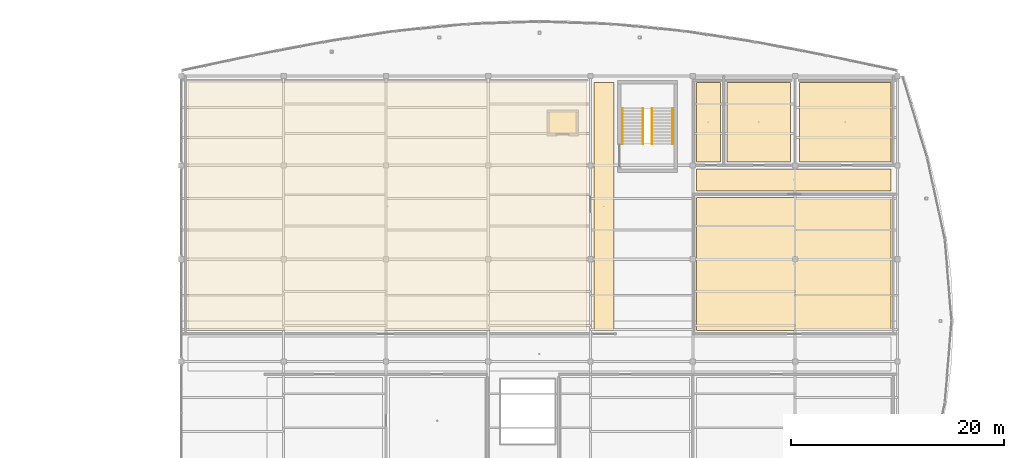
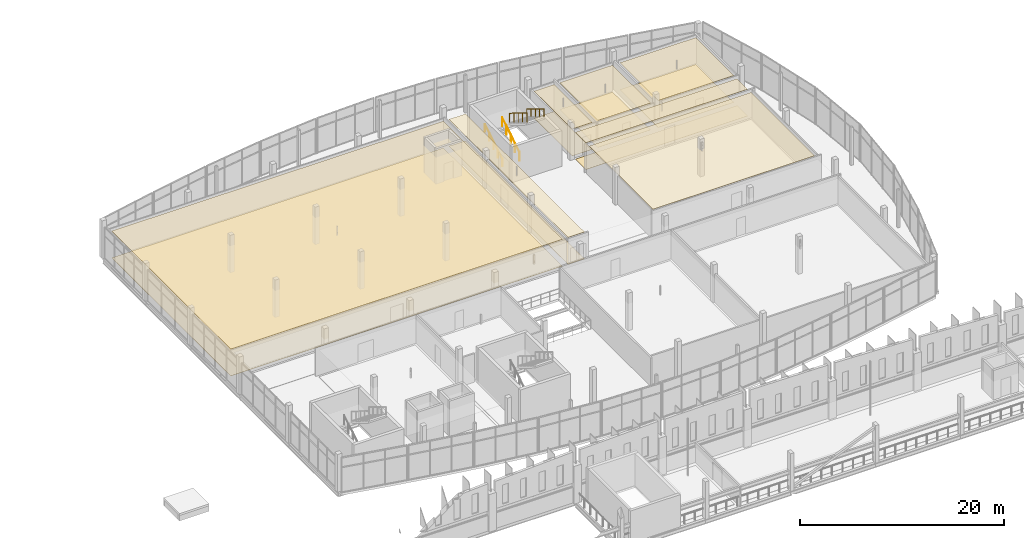
# One storey, part 114 of 114: 13 coverings, 4 railings, 1 element without a shape of its own.
"""IFC4 building model written with IfcOpenShell, lengths in metres."""

from ifc_helpers import new_model, si_unit, direction, frame, origin, origin_2d, place, context, subcontext, project, spatial, polyline, circle, outline, extrude, material, layer, layer_set, type_object, element, aggregate, save


model = new_model("IFC4")

# Units and contexts
model_context = context("Model", 3, precision=1e-05, world=origin(), true_north=direction((0.0, 1.0)))
body_context = subcontext(model_context, "Body", "Model", "MODEL_VIEW")
ifc_project = project(units=[si_unit("LENGTHUNIT", "METRE"), si_unit("AREAUNIT", "SQUARE_METRE"), si_unit("VOLUMEUNIT", "CUBIC_METRE"), si_unit("PLANEANGLEUNIT", "RADIAN"), si_unit("MASSUNIT", "GRAM", prefix="KILO")], contexts=[model_context])

# Site, building, storey
site_placement = place(None, origin())
site = spatial("IfcSite", under=ifc_project, at=site_placement, CompositionType="ELEMENT")
building_placement = place(site_placement, origin())
building = spatial("IfcBuilding", under=site, at=building_placement, Name="Chalmorin Arch Market", CompositionType="ELEMENT")
storey_placement = place(building_placement, frame((0.0, 0.0, 9.60009765625)))
storey = spatial("IfcBuildingStorey", under=building, at=storey_placement, Name="L02", CompositionType="ELEMENT", Elevation=9.60009765625)

# Coverings
ifc_material_1 = material(Name="Mineral Fibre Acoustic Tile")
ifc_layer_1 = layer(ifc_material_1, 0.044921875)
ifc_layer_set_1 = layer_set([ifc_layer_1], Name="Mineral Fibre Acoustic Tile")
covering_type_1 = type_object("IfcCoveringType", Name="AcousticBaffleCeiling-45", PredefinedType="CEILING", material=ifc_layer_set_1)
covering_1_placement = place(storey_placement, frame((0.0, 0.0, 3.184814453125)))
element("IfcCovering", 1, at=covering_1_placement, inside=storey, type_object=covering_type_1, Name="CLG-01-237", PredefinedType="CEILING", context=body_context, shape_type="SweptSolid", body=[
    extrude(outline(polyline([(86.719970703125, 94.1201171875), (88.580078125, 94.1201171875), (88.580078125, 117.3798828125), (86.719970703125, 117.3798828125), (86.719970703125, 94.1201171875)])), origin(), (0.0, 0.0, 1.0), 0.045166015625),
])
covering_2_placement = place(storey_placement, frame((0.0, 0.0, 3.184814453125)))
element("IfcCovering", 2, at=covering_2_placement, inside=storey, type_object=covering_type_1, Name="CLG-01-239", PredefinedType="CEILING", context=body_context, shape_type="SweptSolid", body=[
    extrude(outline(polyline([(48.6201171875, 94.1201171875), (86.080078125, 94.1201171875), (86.080078125, 117.3798828125), (48.6201171875, 117.3798828125), (48.6201171875, 94.1201171875)])), origin(), (0.0, 0.0, 1.0), 0.045166015625),
])
covering_3_placement = place(storey_placement, frame((0.0, 0.0, 3.184814453125)))
element("IfcCovering", 3, at=covering_3_placement, inside=storey, type_object=covering_type_1, Name="CLG-01-241", PredefinedType="CEILING", context=body_context, shape_type="SweptSolid", body=[
    extrude(outline(polyline([(96.320068359375, 94.1201171875), (114.580078125, 94.1201171875), (114.580078125, 106.580078125), (96.320068359375, 106.580078125), (96.320068359375, 94.1201171875)])), origin(), (0.0, 0.0, 1.0), 0.045166015625),
])
covering_4_placement = place(storey_placement, frame((0.0, 0.0, 3.184814453125)))
element("IfcCovering", 4, at=covering_4_placement, inside=storey, type_object=covering_type_1, Name="CLG-01-243", PredefinedType="CEILING", context=body_context, shape_type="SweptSolid", body=[
    extrude(outline(polyline([(96.320068359375, 107.219970703125), (114.580078125, 107.219970703125), (114.580078125, 109.280029296875), (96.320068359375, 109.280029296875), (96.320068359375, 107.219970703125)])), origin(), (0.0, 0.0, 1.0), 0.045166015625),
])
ifc_material_2 = material(Name="Gypsum Board Partition")
ifc_layer_2 = layer(ifc_material_2, 0.030029296875)
ifc_layer_set_2 = layer_set([ifc_layer_2], Name="Gypsum Board Partition")
covering_type_2 = type_object("IfcCoveringType", Name="MoistureResistantGypsumCeiling-30", PredefinedType="CEILING", material=ifc_layer_set_2)
covering_5_placement = place(storey_placement, frame((0.0, 0.0, 3.199951171875)))
element("IfcCovering", 5, at=covering_5_placement, inside=storey, type_object=covering_type_2, Name="CLG-03-245", PredefinedType="CEILING", context=body_context, shape_type="SweptSolid", body=[
    extrude(outline(polyline([(96.320068359375, 109.919921875), (98.580078125, 109.919921875), (98.580078125, 117.3798828125), (96.320068359375, 117.3798828125), (96.320068359375, 109.919921875)])), origin(), (0.0, 0.0, 1.0), 0.030029296875),
])
covering_6_placement = place(storey_placement, frame((0.0, 0.0, 3.199951171875)))
element("IfcCovering", 6, at=covering_6_placement, inside=storey, type_object=covering_type_2, Name="CLG-03-247", PredefinedType="CEILING", context=body_context, shape_type="SweptSolid", body=[
    extrude(outline(polyline([(99.219970703125, 109.919921875), (105.179931640625, 109.919921875), (105.179931640625, 117.3798828125), (99.219970703125, 117.3798828125), (99.219970703125, 109.919921875)])), origin(), (0.0, 0.0, 1.0), 0.030029296875),
])
covering_7_placement = place(storey_placement, frame((0.0, 0.0, 3.199951171875)))
element("IfcCovering", 7, at=covering_7_placement, inside=storey, type_object=covering_type_2, Name="CLG-03-249", PredefinedType="CEILING", context=body_context, shape_type="SweptSolid", body=[
    extrude(outline(polyline([(106.02001953125, 109.919921875), (114.580078125, 109.919921875), (114.580078125, 117.3798828125), (106.02001953125, 117.3798828125), (106.02001953125, 109.919921875)])), origin(), (0.0, 0.0, 1.0), 0.030029296875),
])
ifc_material_3 = material(Name="Ceramic Porcelain Tile")
ifc_layer_3 = layer(ifc_material_3, 0.01806640625)
ifc_layer_set_3 = layer_set([ifc_layer_3], Name="Ceramic Porcelain Tile")
covering_type_3 = type_object("IfcCoveringType", Name="PorcelainRestroomTileFloor-18", PredefinedType="FLOORING", material=ifc_layer_set_3)
covering_8_placement = place(storey_placement, origin())
element("IfcCovering", 8, at=covering_8_placement, inside=storey, type_object=covering_type_3, Name="FLR-03-244", PredefinedType="FLOORING", context=body_context, shape_type="SweptSolid", body=[
    extrude(outline(polyline([(96.320068359375, 109.919921875), (98.580078125, 109.919921875), (98.580078125, 117.3798828125), (96.320068359375, 117.3798828125), (96.320068359375, 109.919921875)])), origin(), (0.0, 0.0, 1.0), 0.017822265625),
])
covering_9_placement = place(storey_placement, origin())
element("IfcCovering", 9, at=covering_9_placement, inside=storey, type_object=covering_type_3, Name="FLR-03-246", PredefinedType="FLOORING", context=body_context, shape_type="SweptSolid", body=[
    extrude(outline(polyline([(99.219970703125, 109.919921875), (105.179931640625, 109.919921875), (105.179931640625, 117.3798828125), (99.219970703125, 117.3798828125), (99.219970703125, 109.919921875)])), origin(), (0.0, 0.0, 1.0), 0.017822265625),
])
covering_10_placement = place(storey_placement, origin())
element("IfcCovering", 10, at=covering_10_placement, inside=storey, type_object=covering_type_3, Name="FLR-03-248", PredefinedType="FLOORING", context=body_context, shape_type="SweptSolid", body=[
    extrude(outline(polyline([(106.02001953125, 109.919921875), (114.580078125, 109.919921875), (114.580078125, 117.3798828125), (106.02001953125, 117.3798828125), (106.02001953125, 109.919921875)])), origin(), (0.0, 0.0, 1.0), 0.017822265625),
])

# Stair, railings
ifc_material_4 = material(Name="Concrete C40/50", Category="concrete")
stair_type = type_object("IfcStairType", Name="DoglegExitStair-26R-SC6", PredefinedType="HALF_TURN_STAIR", material=ifc_material_4)
stair_placement = place(storey_placement, origin())
stair = element("IfcStair", 11, at=stair_placement, inside=storey, type_object=stair_type, Name="ST-18", PredefinedType="HALF_TURN_STAIR")
ifc_material_5 = material(Name="Stainless Steel 316", Category="steel")
ifc_layer_4 = layer(ifc_material_5, 0.048095703125)
ifc_layer_set_4 = layer_set([ifc_layer_4], Name="Stainless Steel 316")
railing_type_1 = type_object("IfcRailingType", Name="StairTubeHandrail-920", PredefinedType="HANDRAIL", material=ifc_layer_set_4)
railing_1_placement = place(storey_placement, frame((89.39990234375, 111.610107421875, 0.173095703125)))
railing_1 = element("IfcRailing", 12, at=railing_1_placement, type_object=railing_type_1, Name="HR-01-075", PredefinedType="HANDRAIL", context=body_context, shape_type="SweptSolid", body=[
    extrude(circle(Radius=0.02392578125, at=origin_2d()), frame((0.0, 0.0, 0.89599609375), z_axis=(0.0, 0.850606129759, 0.525803396734), x_axis=(-1.0, 0.0, 0.0)), (0.0, 0.0, 1.0), 3.949951171875),
    extrude(circle(Radius=0.02099609375, at=origin_2d()), origin(), (0.0, 0.0, 1.0), 0.871826171875),
    extrude(circle(Radius=0.02099609375, at=origin_2d()), frame((0.0, 0.83984375, 0.519287109375)), (0.0, 0.0, 1.0), 0.871826171875),
    extrude(circle(Radius=0.02099609375, at=origin_2d()), frame((0.0, 1.679931640625, 1.03857421875)), (0.0, 0.0, 1.0), 0.871826171875),
    extrude(circle(Radius=0.02099609375, at=origin_2d()), frame((0.0, 2.52001953125, 1.5576171875)), (0.0, 0.0, 1.0), 0.871826171875),
    extrude(circle(Radius=0.02099609375, at=origin_2d()), frame((0.0, 3.35986328125, 2.076904296875)), (0.0, 0.0, 1.0), 0.871826171875),
])
railing_2_placement = place(storey_placement, frame((94.10009765625, 114.969970703125, 2.423095703125)))
railing_2 = element("IfcRailing", 13, at=railing_2_placement, type_object=railing_type_1, Name="HR-01-078", PredefinedType="HANDRAIL", context=body_context, shape_type="SweptSolid", body=[
    extrude(circle(Radius=0.02392578125, at=origin_2d()), frame((0.0, 0.0, 0.89599609375), z_axis=(0.0, -0.850606129759, 0.525803396734), x_axis=(1.0, 0.0, 0.0)), (0.0, 0.0, 1.0), 3.949951171875),
    extrude(circle(Radius=0.02099609375, at=origin_2d()), origin(), (0.0, 0.0, 1.0), 0.871826171875),
    extrude(circle(Radius=0.02099609375, at=origin_2d()), frame((0.0, -0.83984375, 0.519287109375)), (0.0, 0.0, 1.0), 0.871826171875),
    extrude(circle(Radius=0.02099609375, at=origin_2d()), frame((0.0, -1.679931640625, 1.03857421875)), (0.0, 0.0, 1.0), 0.871826171875),
    extrude(circle(Radius=0.02099609375, at=origin_2d()), frame((0.0, -2.52001953125, 1.5576171875)), (0.0, 0.0, 1.0), 0.871826171875),
    extrude(circle(Radius=0.02099609375, at=origin_2d()), frame((0.0, -3.35986328125, 2.076904296875)), (0.0, 0.0, 1.0), 0.871826171875),
])
ifc_material_6 = material(Name="Galvanised Steel", Category="steel")
ifc_layer_5 = layer(ifc_material_6, 0.054931640625)
ifc_layer_set_5 = layer_set([ifc_layer_5], Name="Galvanised Steel")
railing_type_2 = type_object("IfcRailingType", Name="StairWellGuardrail-1100", PredefinedType="GUARDRAIL", material=ifc_layer_set_5)
railing_3_placement = place(storey_placement, frame((91.330078125, 111.610107421875, 0.173095703125)))
railing_3 = element("IfcRailing", 14, at=railing_3_placement, type_object=railing_type_2, Name="SG-01-076", PredefinedType="GUARDRAIL", context=body_context, shape_type="SweptSolid", body=[
    extrude(circle(Radius=0.02392578125, at=origin_2d()), frame((0.0, 0.0, 1.076171875), z_axis=(0.0, 0.850606129759, 0.525803396734), x_axis=(-1.0, 0.0, 0.0)), (0.0, 0.0, 1.0), 3.949951171875),
    extrude(circle(Radius=0.02099609375, at=origin_2d()), origin(), (0.0, 0.0, 1.0), 1.052001953125),
    extrude(circle(Radius=0.02099609375, at=origin_2d()), frame((0.0, 0.83984375, 0.519287109375)), (0.0, 0.0, 1.0), 1.052001953125),
    extrude(circle(Radius=0.02099609375, at=origin_2d()), frame((0.0, 1.679931640625, 1.03857421875)), (0.0, 0.0, 1.0), 1.052001953125),
    extrude(circle(Radius=0.02099609375, at=origin_2d()), frame((0.0, 2.52001953125, 1.5576171875)), (0.0, 0.0, 1.0), 1.052001953125),
    extrude(circle(Radius=0.02099609375, at=origin_2d()), frame((0.0, 3.35986328125, 2.076904296875)), (0.0, 0.0, 1.0), 1.052001953125),
])
railing_4_placement = place(storey_placement, frame((92.169921875, 114.969970703125, 2.423095703125)))
railing_4 = element("IfcRailing", 15, at=railing_4_placement, type_object=railing_type_2, Name="SG-01-077", PredefinedType="GUARDRAIL", context=body_context, shape_type="SweptSolid", body=[
    extrude(circle(Radius=0.02392578125, at=origin_2d()), frame((0.0, 0.0, 1.076171875), z_axis=(0.0, -0.850606129759, 0.525803396734), x_axis=(1.0, 0.0, 0.0)), (0.0, 0.0, 1.0), 3.949951171875),
    extrude(circle(Radius=0.02099609375, at=origin_2d()), origin(), (0.0, 0.0, 1.0), 1.052001953125),
    extrude(circle(Radius=0.02099609375, at=origin_2d()), frame((0.0, -0.83984375, 0.519287109375)), (0.0, 0.0, 1.0), 1.052001953125),
    extrude(circle(Radius=0.02099609375, at=origin_2d()), frame((0.0, -1.679931640625, 1.03857421875)), (0.0, 0.0, 1.0), 1.052001953125),
    extrude(circle(Radius=0.02099609375, at=origin_2d()), frame((0.0, -2.52001953125, 1.5576171875)), (0.0, 0.0, 1.0), 1.052001953125),
    extrude(circle(Radius=0.02099609375, at=origin_2d()), frame((0.0, -3.35986328125, 2.076904296875)), (0.0, 0.0, 1.0), 1.052001953125),
])
aggregate(stair, [railing_1, railing_3, railing_4, railing_2])

# Coverings
ifc_material_7 = material(Name="Polished Terrazzo")
ifc_layer_6 = layer(ifc_material_7, 0.02490234375)
ifc_layer_set_6 = layer_set([ifc_layer_6], Name="Polished Terrazzo")
covering_type_4 = type_object("IfcCoveringType", Name="TerrazzoMarketFloorFinish-25", PredefinedType="FLOORING", material=ifc_layer_set_6)
covering_11_placement = place(storey_placement, origin())
element("IfcCovering", 16, at=covering_11_placement, inside=storey, type_object=covering_type_4, Name="FLR-01-236", PredefinedType="FLOORING", context=body_context, shape_type="SweptSolid", body=[
    extrude(outline(polyline([(86.719970703125, 94.1201171875), (88.580078125, 94.1201171875), (88.580078125, 117.3798828125), (86.719970703125, 117.3798828125), (86.719970703125, 94.1201171875)])), origin(), (0.0, 0.0, 1.0), 0.02490234375),
])
covering_12_placement = place(storey_placement, origin())
element("IfcCovering", 17, at=covering_12_placement, inside=storey, type_object=covering_type_4, Name="FLR-01-238", PredefinedType="FLOORING", context=body_context, shape_type="SweptSolid", body=[
    extrude(outline(polyline([(48.6201171875, 94.1201171875), (86.080078125, 94.1201171875), (86.080078125, 117.3798828125), (48.6201171875, 117.3798828125), (48.6201171875, 94.1201171875)])), origin(), (0.0, 0.0, 1.0), 0.02490234375),
])
covering_13_placement = place(storey_placement, origin())
element("IfcCovering", 18, at=covering_13_placement, inside=storey, type_object=covering_type_4, Name="FLR-01-242", PredefinedType="FLOORING", context=body_context, shape_type="SweptSolid", body=[
    extrude(outline(polyline([(96.320068359375, 107.219970703125), (114.580078125, 107.219970703125), (114.580078125, 109.280029296875), (96.320068359375, 109.280029296875), (96.320068359375, 107.219970703125)])), origin(), (0.0, 0.0, 1.0), 0.02490234375),
])

save(model, "model.ifc")
